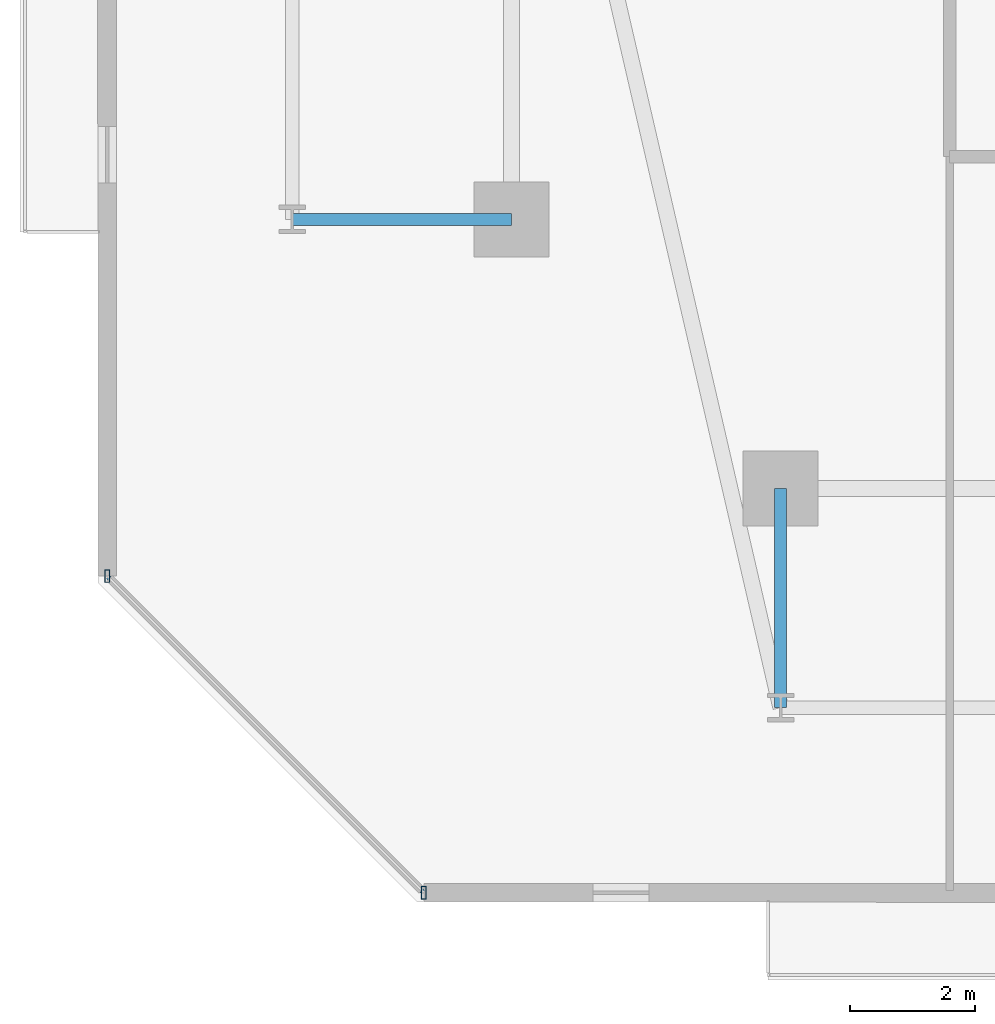
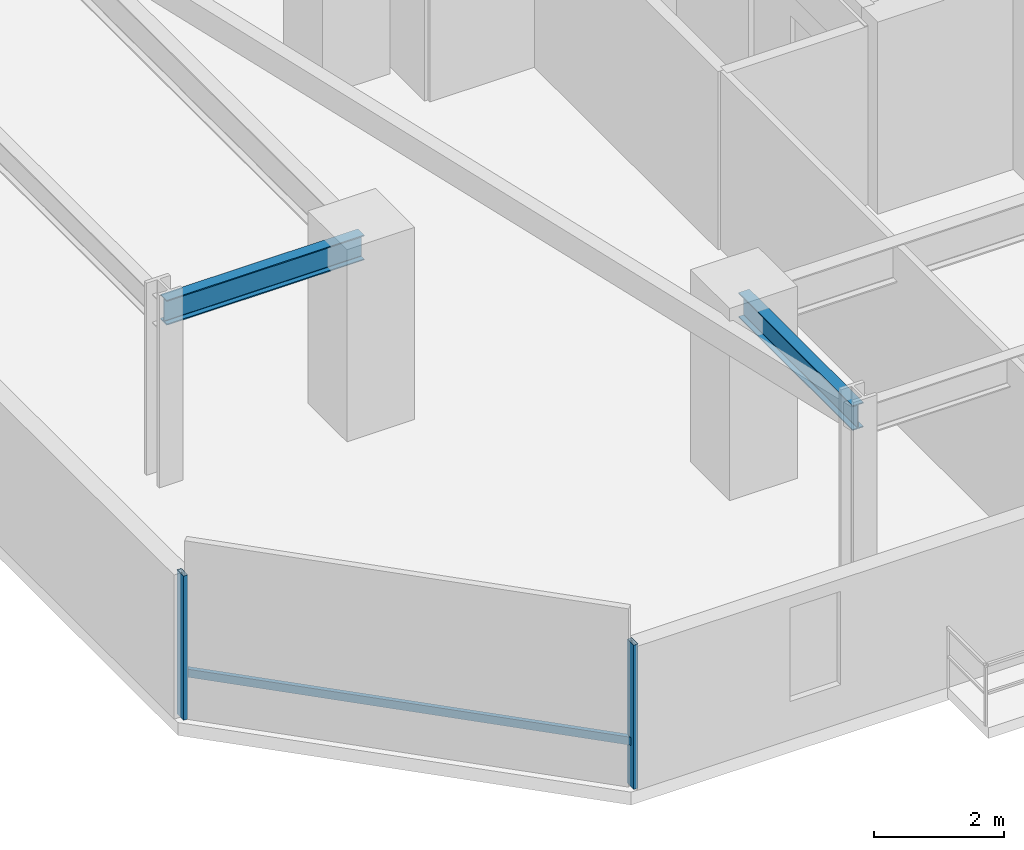
# One storey, part 3 of 33: 3 members, 2 beams, 1 element without a shape of its own.
"""IFC4 building model written with IfcOpenShell, lengths in metres."""

from ifc_helpers import new_model, si_unit, direction, frame, origin, origin_2d, place, context, subcontext, project, spatial, hollow_rectangle, i_section, extrude, material, material_profile, profile_set, type_object, element, aggregate, save


model = new_model("IFC4")

# Units and contexts
model_context = context("Model", 3, precision=1e-05, world=origin(), true_north=direction((0.0, 1.0)))
body_context = subcontext(model_context, "Body", "Model", "MODEL_VIEW")
ifc_project = project(units=[si_unit("LENGTHUNIT", "METRE"), si_unit("AREAUNIT", "SQUARE_METRE"), si_unit("VOLUMEUNIT", "CUBIC_METRE"), si_unit("PLANEANGLEUNIT", "RADIAN"), si_unit("MASSUNIT", "GRAM", prefix="KILO")], contexts=[model_context])

# Site, building, storey
site_placement = place(None, origin())
site = spatial("IfcSite", under=ifc_project, at=site_placement, CompositionType="ELEMENT")
building_placement = place(site_placement, origin())
building = spatial("IfcBuilding", under=site, at=building_placement, Name="Thornwick Lancets Civic Towers", CompositionType="ELEMENT")
storey_placement = place(building_placement, frame((0.0, 0.0, 134.10009765625)))
storey = spatial("IfcBuildingStorey", under=building, at=storey_placement, Name="L35", CompositionType="ELEMENT", Elevation=134.10009765625)

# Beams
ifc_material_1 = material(Name="Steel S355JR", Category="steel")
ifc_material_profile_1 = material_profile(ifc_material_1, i_section(OverallWidth=0.19287109375, OverallDepth=0.46728515625, WebThickness=0.011474609375, FlangeThickness=0.01953125, FilletRadius=0.01025390625, at=origin_2d()), Name="UKB 457x191x98")
ifc_profile_set_1 = profile_set([ifc_material_profile_1], Name="Steel S355JR")
beam_type = type_object("IfcBeamType", Name="BM_JOIST_457_98", PredefinedType="JOIST", material=ifc_profile_set_1)
for number, where, z_axis, x_axis, name in (
    (1, (12.5, 9.699951171875, 3.126220703125), (0.0, -1.0, 0.0), (1.0, 0.0, 0.0), "BM-RAD-L35-A01"),
    (2, (8.199951171875, 14.0, 3.126220703125), (-1.0, 0.0, 0.0), (0.0, -1.0, 0.0), "BM-RAD-L35-A10"),
):
    element("IfcBeam", number, at=place(storey_placement, frame(where, z_axis=z_axis, x_axis=x_axis)), inside=storey, type_object=beam_type, Name=name, PredefinedType="JOIST", context=body_context, shape_type="SweptSolid", body=[
        extrude(i_section(OverallWidth=0.19287109375, OverallDepth=0.46728515625, WebThickness=0.011474609375, FlangeThickness=0.01953125, FilletRadius=0.01025390625, at=origin_2d()), origin(), (0.0, 0.0, 1.0), 3.5),
    ])

# Curtain wall, members
ifc_material_2 = material(Name="Mid-zone chamfered-corner unitised glass curtain wall", Category="glass")
curtain_wall_type = type_object("IfcCurtainWallType", Name="CW_SYS_04", PredefinedType="NOTDEFINED", material=ifc_material_2)
curtain_wall_placement = place(storey_placement, origin())
curtain_wall = element("IfcCurtainWall", 3, at=curtain_wall_placement, inside=storey, type_object=curtain_wall_type, Name="L35 Curtain Wall CW-L35-A-E7", PredefinedType="NOTDEFINED")
ifc_material_3 = material(Name="Thermally broken bronze aluminium S355", Category="steel")
ifc_material_profile_2 = material_profile(ifc_material_3, hollow_rectangle(XDim=0.080078125, YDim=0.199951171875, WallThickness=0.006103515625, at=origin_2d()), Name="RHS 200x80x6")
ifc_profile_set_2 = profile_set([ifc_material_profile_2], Name="Thermally broken bronze aluminium S355")
member_type_1 = type_object("IfcMemberType", Name="CW_MUL_200", PredefinedType="MULLION", material=ifc_profile_set_2)
member_1_placement = place(storey_placement, frame((1.74365234375, 8.300537109375, 0.0), z_axis=(0.0, 0.0, 1.0), x_axis=(1.0, 0.0, 0.0)))
member_1 = element("IfcMember", 4, at=member_1_placement, type_object=member_type_1, Name="CW-L35-A-E7 Mullion 0", PredefinedType="MULLION", context=body_context, shape_type="SweptSolid", body=[
    extrude(hollow_rectangle(XDim=0.080078125, YDim=0.199951171875, WallThickness=0.006103515625, at=origin_2d()), origin(), (0.0, 0.0, 1.0), 2.699951171875),
])
member_2_placement = place(storey_placement, frame((6.800537109375, 3.24365234375, 0.0), z_axis=(0.0, 0.0, 1.0), x_axis=(1.0, 0.0, 0.0)))
member_2 = element("IfcMember", 5, at=member_2_placement, type_object=member_type_1, Name="CW-L35-A-E7 Mullion 1", PredefinedType="MULLION", context=body_context, shape_type="SweptSolid", body=[
    extrude(hollow_rectangle(XDim=0.080078125, YDim=0.199951171875, WallThickness=0.006103515625, at=origin_2d()), origin(), (0.0, 0.0, 1.0), 2.699951171875),
])
ifc_material_profile_3 = material_profile(ifc_material_3, hollow_rectangle(XDim=0.074951171875, YDim=0.14990234375, WallThickness=0.0048828125, at=origin_2d()), Name="RHS 150x75x5")
ifc_profile_set_3 = profile_set([ifc_material_profile_3], Name="Thermally broken bronze aluminium S355")
member_type_2 = type_object("IfcMemberType", Name="CW_TRN_150", PredefinedType="USERDEFINED", material=ifc_profile_set_3)
member_3_placement = place(storey_placement, frame((1.7578125, 8.28662109375, 0.849853515625), z_axis=(0.707106781187, -0.707106781187, 0.0), x_axis=(0.707106781187, 0.707106781187, 0.0)))
member_3 = element("IfcMember", 6, at=member_3_placement, type_object=member_type_2, Name="CW-L35-A-E7 Transom 0", ObjectType="TRANSOM", PredefinedType="USERDEFINED", context=body_context, shape_type="SweptSolid", body=[
    extrude(hollow_rectangle(XDim=0.074951171875, YDim=0.14990234375, WallThickness=0.0048828125, at=origin_2d()), origin(), (0.0, 0.0, 1.0), 7.11181640625),
])
aggregate(curtain_wall, [member_1, member_2, member_3])

save(model, "model.ifc")
